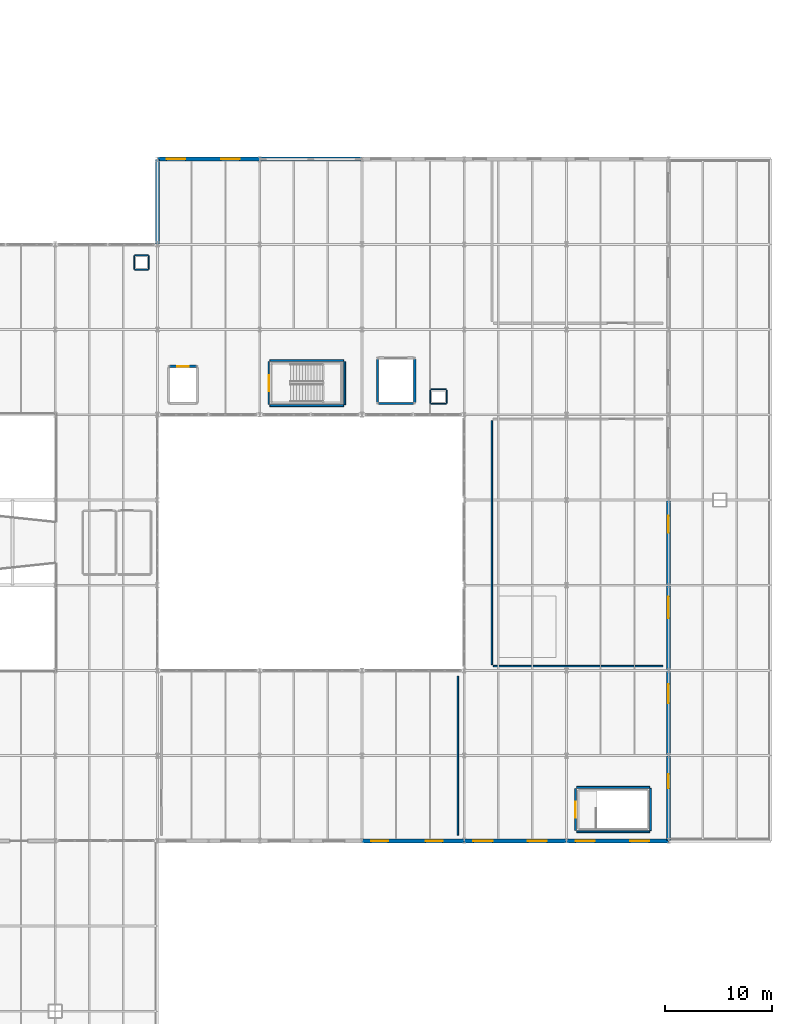
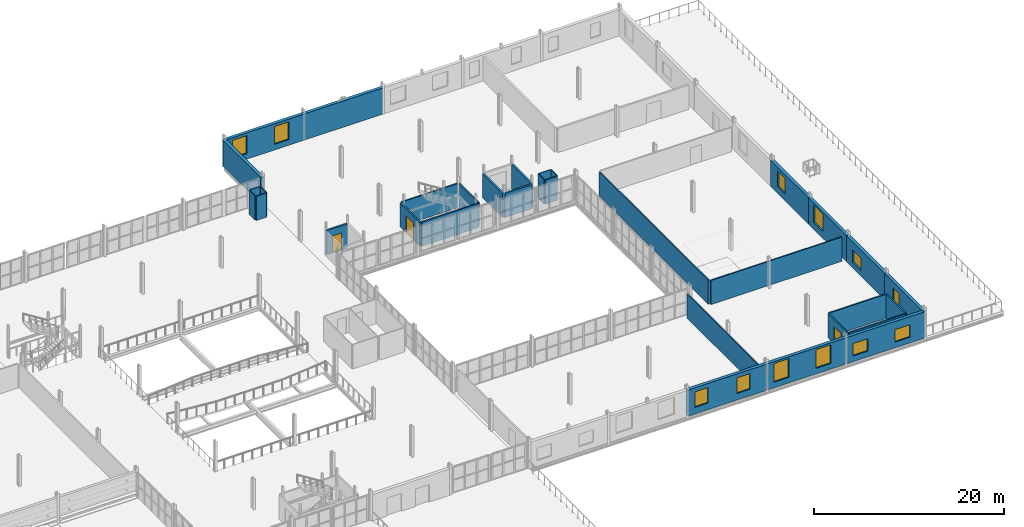
# One storey, part 75 of 85: 33 walls, 12 windows, 3 doors, 15 openings.
"""IFC4 building model written with IfcOpenShell, lengths in metres."""

from ifc_helpers import new_model, si_unit, direction, frame, frame_2d, origin, place, context, subcontext, project, spatial, rectangle, extrude, material, layer, layer_set, type_object, element, fill, save


model = new_model("IFC4")

# Units and contexts
model_context = context("Model", 3, precision=1e-05, world=origin(), true_north=direction((0.0, 1.0)))
body_context = subcontext(model_context, "Body", "Model", "MODEL_VIEW")
ifc_project = project(units=[si_unit("LENGTHUNIT", "METRE"), si_unit("AREAUNIT", "SQUARE_METRE"), si_unit("VOLUMEUNIT", "CUBIC_METRE"), si_unit("PLANEANGLEUNIT", "RADIAN"), si_unit("MASSUNIT", "GRAM", prefix="KILO")], contexts=[model_context])

# Site, building, storey
site_placement = place(None, origin())
site = spatial("IfcSite", under=ifc_project, at=site_placement, CompositionType="ELEMENT")
building_placement = place(site_placement, origin())
building = spatial("IfcBuilding", under=site, at=building_placement, Name="Alderhovde Museum", CompositionType="ELEMENT")
storey_placement = place(building_placement, frame((0.0, 0.0, 8.699951171875)))
storey = spatial("IfcBuildingStorey", under=building, at=storey_placement, Name="L02", CompositionType="ELEMENT", Elevation=8.699951171875)

# Wall, openings, windows
ifc_material_1 = material(Name="Fluted Jura Limestone Beaux-Arts Wall", Category="masonry")
ifc_layer_1 = layer(ifc_material_1, 0.3798828125)
ifc_layer_set_1 = layer_set([ifc_layer_1], Name="Fluted Jura Limestone Beaux-Arts Wall")
wall_type_1 = type_object("IfcWallType", Name="EW-LIME-380", PredefinedType="SOLIDWALL", material=ifc_layer_set_1)
wall_1_placement = place(storey_placement, frame((134.419921875, 32.0, 0.0), z_axis=(0.0, 0.0, 1.0), x_axis=(1.0, 0.0, 0.0)))
wall_1 = element("IfcWall", 1, at=wall_1_placement, inside=storey, type_object=wall_type_1, Name="L02 Conservation South Beaux-Arts Wall 217", PredefinedType="SOLIDWALL", context=body_context, shape_type="SweptSolid", body=[
    extrude(rectangle(XDim=9.56005859375, YDim=0.3798828125, at=frame_2d((4.780029296875, 0.0))), origin(), (0.0, 0.0, 1.0), 3.360107421875),
])
opening_1_placement = place(wall_1_placement, frame((0.85009765625, 0.0, 0.85009765625)))
opening_1 = element("IfcOpeningElement", 2, at=opening_1_placement, cuts=wall_1, Name="Opening W17", PredefinedType="OPENING", context=body_context, shape_type="SweptSolid", body=[
    extrude(rectangle(XDim=1.60009765625, YDim=2.0, at=frame_2d((0.800048828125, 1.0))), frame((0.0, 0.199951171875, 0.0), z_axis=(0.0, -1.0, 0.0), x_axis=(1.0, 0.0, 0.0)), (0.0, 0.0, 1.0), 0.39990234375),
])
opening_2_placement = place(wall_1_placement, frame((5.949951171875, 0.0, 0.85009765625)))
opening_2 = element("IfcOpeningElement", 3, at=opening_2_placement, cuts=wall_1, Name="Opening W17", PredefinedType="OPENING", context=body_context, shape_type="SweptSolid", body=[
    extrude(rectangle(XDim=1.60009765625, YDim=2.0, at=frame_2d((0.800048828125, 1.0))), frame((0.0, 0.199951171875, 0.0), z_axis=(0.0, -1.0, 0.0), x_axis=(1.0, 0.0, 0.0)), (0.0, 0.0, 1.0), 0.39990234375),
])
ifc_material_2 = material(Name="Triple-Glazed Low-E Bronze-Anodised Aluminium", Category="aluminium")
window_type_1 = type_object("IfcWindowType", Name="WIN-LAB-1600x2000", PartitioningType="DOUBLE_PANEL_VERTICAL", PredefinedType="WINDOW", material=ifc_material_2)
window_1_placement = place(opening_1_placement, origin())
window_1 = element("IfcWindow", 4, at=window_1_placement, inside=storey, type_object=window_type_1, Name="L02 Facade Window 199", OverallHeight=2.0, OverallWidth=1.60009765625, PartitioningType="SINGLE_PANEL", PredefinedType="WINDOW", context=body_context, shape_type="SweptSolid", body=[
    extrude(rectangle(XDim=1.60009765625, YDim=2.0, at=frame_2d((0.800048828125, 1.0))), frame((0.0, 0.030029296875, 0.0), z_axis=(0.0, -1.0, 0.0), x_axis=(1.0, 0.0, 0.0)), (0.0, 0.0, 1.0), 0.06005859375),
])
fill(opening_1, window_1)
window_2_placement = place(opening_2_placement, origin())
window_2 = element("IfcWindow", 5, at=window_2_placement, inside=storey, type_object=window_type_1, Name="L02 Facade Window 200", OverallHeight=2.0, OverallWidth=1.60009765625, PartitioningType="SINGLE_PANEL", PredefinedType="WINDOW", context=body_context, shape_type="SweptSolid", body=[
    extrude(rectangle(XDim=1.60009765625, YDim=2.0, at=frame_2d((0.800048828125, 1.0))), frame((0.0, 0.030029296875, 0.0), z_axis=(0.0, -1.0, 0.0), x_axis=(1.0, 0.0, 0.0)), (0.0, 0.0, 1.0), 0.06005859375),
])
fill(opening_2, window_2)

wall_2_placement = place(storey_placement, frame((144.02001953125, 32.0, 0.0), z_axis=(0.0, 0.0, 1.0), x_axis=(1.0, 0.0, 0.0)))
wall_2 = element("IfcWall", 6, at=wall_2_placement, inside=storey, type_object=wall_type_1, Name="L02 Conservation South Beaux-Arts Wall 218", PredefinedType="SOLIDWALL", context=body_context, shape_type="SweptSolid", body=[
    extrude(rectangle(XDim=9.56005859375, YDim=0.3798828125, at=frame_2d((4.780029296875, 0.0))), origin(), (0.0, 0.0, 1.0), 3.360107421875),
])
opening_3_placement = place(wall_2_placement, frame((0.85009765625, 0.0, 0.719970703125)))
opening_3 = element("IfcOpeningElement", 7, at=opening_3_placement, cuts=wall_2, Name="Opening W05", PredefinedType="OPENING", context=body_context, shape_type="SweptSolid", body=[
    extrude(rectangle(XDim=1.800048828125, YDim=2.39990234375, at=frame_2d((0.89990234375, 1.199951171875))), frame((0.0, 0.199951171875, 0.0), z_axis=(0.0, -1.0, 0.0), x_axis=(1.0, 0.0, 0.0)), (0.0, 0.0, 1.0), 0.39990234375),
])
opening_4_placement = place(wall_2_placement, frame((5.949951171875, 0.0, 0.719970703125)))
opening_4 = element("IfcOpeningElement", 8, at=opening_4_placement, cuts=wall_2, Name="Opening W05", PredefinedType="OPENING", context=body_context, shape_type="SweptSolid", body=[
    extrude(rectangle(XDim=1.800048828125, YDim=2.39990234375, at=frame_2d((0.89990234375, 1.199951171875))), frame((0.0, 0.199951171875, 0.0), z_axis=(0.0, -1.0, 0.0), x_axis=(1.0, 0.0, 0.0)), (0.0, 0.0, 1.0), 0.39990234375),
])
ifc_material_3 = material(Name="Triple-Glazed Low-E Bronze-Anodised Aluminium", Category="aluminium")
window_type_2 = type_object("IfcWindowType", Name="WIN-BA-1800x2400", PartitioningType="DOUBLE_PANEL_VERTICAL", PredefinedType="WINDOW", material=ifc_material_3)
window_3_placement = place(opening_3_placement, origin())
window_3 = element("IfcWindow", 9, at=window_3_placement, inside=storey, type_object=window_type_2, Name="L02 Facade Window 201", OverallHeight=2.39990234375, OverallWidth=1.800048828125, PartitioningType="SINGLE_PANEL", PredefinedType="WINDOW", context=body_context, shape_type="SweptSolid", body=[
    extrude(rectangle(XDim=1.800048828125, YDim=2.39990234375, at=frame_2d((0.89990234375, 1.199951171875))), frame((0.0, 0.030029296875, 0.0), z_axis=(0.0, -1.0, 0.0), x_axis=(1.0, 0.0, 0.0)), (0.0, 0.0, 1.0), 0.06005859375),
])
fill(opening_3, window_3)
window_4_placement = place(opening_4_placement, origin())
window_4 = element("IfcWindow", 10, at=window_4_placement, inside=storey, type_object=window_type_2, Name="L02 Facade Window 202", OverallHeight=2.39990234375, OverallWidth=1.800048828125, PartitioningType="SINGLE_PANEL", PredefinedType="WINDOW", context=body_context, shape_type="SweptSolid", body=[
    extrude(rectangle(XDim=1.800048828125, YDim=2.39990234375, at=frame_2d((0.89990234375, 1.199951171875))), frame((0.0, 0.030029296875, 0.0), z_axis=(0.0, -1.0, 0.0), x_axis=(1.0, 0.0, 0.0)), (0.0, 0.0, 1.0), 0.06005859375),
])
fill(opening_4, window_4)

wall_3_placement = place(storey_placement, frame((153.6201171875, 32.0, 0.0), z_axis=(0.0, 0.0, 1.0), x_axis=(1.0, 0.0, 0.0)))
wall_3 = element("IfcWall", 11, at=wall_3_placement, inside=storey, type_object=wall_type_1, Name="L02 Conservation South Beaux-Arts Wall 219", PredefinedType="SOLIDWALL", context=body_context, shape_type="SweptSolid", body=[
    extrude(rectangle(XDim=9.559814453125, YDim=0.3798828125, at=frame_2d((4.77978515625, 0.0))), origin(), (0.0, 0.0, 1.0), 3.360107421875),
])
opening_5_placement = place(wall_3_placement, frame((0.85009765625, 0.0, 0.719970703125)))
opening_5 = element("IfcOpeningElement", 12, at=opening_5_placement, cuts=wall_3, Name="Opening W13", PredefinedType="OPENING", context=body_context, shape_type="SweptSolid", body=[
    extrude(rectangle(XDim=1.800048828125, YDim=1.60009765625, at=frame_2d((0.89990234375, 0.800048828125))), frame((0.0, 0.199951171875, 0.0), z_axis=(0.0, -1.0, 0.0), x_axis=(1.0, 0.0, 0.0)), (0.0, 0.0, 1.0), 0.39990234375),
])
opening_6_placement = place(wall_3_placement, frame((5.949951171875, 0.0, 0.719970703125)))
opening_6 = element("IfcOpeningElement", 13, at=opening_6_placement, cuts=wall_3, Name="Opening W13", PredefinedType="OPENING", context=body_context, shape_type="SweptSolid", body=[
    extrude(rectangle(XDim=1.800048828125, YDim=1.60009765625, at=frame_2d((0.89990234375, 0.800048828125))), frame((0.0, 0.199951171875, 0.0), z_axis=(0.0, -1.0, 0.0), x_axis=(1.0, 0.0, 0.0)), (0.0, 0.0, 1.0), 0.39990234375),
])
ifc_material_4 = material(Name="Triple-Glazed Low-E Bronze-Anodised Aluminium", Category="aluminium")
window_type_3 = type_object("IfcWindowType", Name="WIN-ATT-1800x1600", PartitioningType="DOUBLE_PANEL_VERTICAL", PredefinedType="WINDOW", material=ifc_material_4)
window_5_placement = place(opening_5_placement, origin())
window_5 = element("IfcWindow", 14, at=window_5_placement, inside=storey, type_object=window_type_3, Name="L02 Facade Window 203", OverallHeight=1.60009765625, OverallWidth=1.800048828125, PartitioningType="SINGLE_PANEL", PredefinedType="WINDOW", context=body_context, shape_type="SweptSolid", body=[
    extrude(rectangle(XDim=1.800048828125, YDim=1.60009765625, at=frame_2d((0.89990234375, 0.800048828125))), frame((0.0, 0.030029296875, 0.0), z_axis=(0.0, -1.0, 0.0), x_axis=(1.0, 0.0, 0.0)), (0.0, 0.0, 1.0), 0.06005859375),
])
fill(opening_5, window_5)
window_6_placement = place(opening_6_placement, origin())
window_6 = element("IfcWindow", 15, at=window_6_placement, inside=storey, type_object=window_type_3, Name="L02 Facade Window 204", OverallHeight=1.60009765625, OverallWidth=1.800048828125, PartitioningType="SINGLE_PANEL", PredefinedType="WINDOW", context=body_context, shape_type="SweptSolid", body=[
    extrude(rectangle(XDim=1.800048828125, YDim=1.60009765625, at=frame_2d((0.89990234375, 0.800048828125))), frame((0.0, 0.030029296875, 0.0), z_axis=(0.0, -1.0, 0.0), x_axis=(1.0, 0.0, 0.0)), (0.0, 0.0, 1.0), 0.06005859375),
])
fill(opening_6, window_6)

wall_4_placement = place(storey_placement, frame((115.219970703125, 96.0, 0.0), z_axis=(0.0, 0.0, 1.0), x_axis=(1.0, 0.0, 0.0)))
wall_4 = element("IfcWall", 16, at=wall_4_placement, inside=storey, type_object=wall_type_1, Name="L02 Conservation North Beaux-Arts Wall 220", PredefinedType="SOLIDWALL", context=body_context, shape_type="SweptSolid", body=[
    extrude(rectangle(XDim=9.56005859375, YDim=0.3798828125, at=frame_2d((4.780029296875, 0.0))), origin(), (0.0, 0.0, 1.0), 3.360107421875),
])
opening_7_placement = place(wall_4_placement, frame((0.85009765625, 0.0, 0.719970703125)))
opening_7 = element("IfcOpeningElement", 17, at=opening_7_placement, cuts=wall_4, Name="Opening W26", PredefinedType="OPENING", context=body_context, shape_type="SweptSolid", body=[
    extrude(rectangle(XDim=1.75, YDim=2.300048828125, at=frame_2d((0.875, 1.14990234375))), frame((0.0, 0.199951171875, 0.0), z_axis=(0.0, -1.0, 0.0), x_axis=(1.0, 0.0, 0.0)), (0.0, 0.0, 1.0), 0.39990234375),
])
opening_8_placement = place(wall_4_placement, frame((5.949951171875, 0.0, 0.719970703125)))
opening_8 = element("IfcOpeningElement", 18, at=opening_8_placement, cuts=wall_4, Name="Opening W26", PredefinedType="OPENING", context=body_context, shape_type="SweptSolid", body=[
    extrude(rectangle(XDim=1.75, YDim=2.300048828125, at=frame_2d((0.875, 1.14990234375))), frame((0.0, 0.199951171875, 0.0), z_axis=(0.0, -1.0, 0.0), x_axis=(1.0, 0.0, 0.0)), (0.0, 0.0, 1.0), 0.39990234375),
])
ifc_material_5 = material(Name="Triple-Glazed Low-E Bronze-Anodised Aluminium", Category="aluminium")
window_type_4 = type_object("IfcWindowType", Name="WIN-BA-1750x2300", PartitioningType="DOUBLE_PANEL_VERTICAL", PredefinedType="WINDOW", material=ifc_material_5)
window_7_placement = place(opening_7_placement, origin())
window_7 = element("IfcWindow", 19, at=window_7_placement, inside=storey, type_object=window_type_4, Name="L02 Facade Window 205", OverallHeight=2.300048828125, OverallWidth=1.75, PartitioningType="SINGLE_PANEL", PredefinedType="WINDOW", context=body_context, shape_type="SweptSolid", body=[
    extrude(rectangle(XDim=1.75, YDim=2.300048828125, at=frame_2d((0.875, 1.14990234375))), frame((0.0, 0.030029296875, 0.0), z_axis=(0.0, -1.0, 0.0), x_axis=(1.0, 0.0, 0.0)), (0.0, 0.0, 1.0), 0.06005859375),
])
fill(opening_7, window_7)
window_8_placement = place(opening_8_placement, origin())
window_8 = element("IfcWindow", 20, at=window_8_placement, inside=storey, type_object=window_type_4, Name="L02 Facade Window 206", OverallHeight=2.300048828125, OverallWidth=1.75, PartitioningType="SINGLE_PANEL", PredefinedType="WINDOW", context=body_context, shape_type="SweptSolid", body=[
    extrude(rectangle(XDim=1.75, YDim=2.300048828125, at=frame_2d((0.875, 1.14990234375))), frame((0.0, 0.030029296875, 0.0), z_axis=(0.0, -1.0, 0.0), x_axis=(1.0, 0.0, 0.0)), (0.0, 0.0, 1.0), 0.06005859375),
])
fill(opening_8, window_8)

# Wall
wall_5_placement = place(storey_placement, frame((124.820068359375, 96.0, 0.0), z_axis=(0.0, 0.0, 1.0), x_axis=(1.0, 0.0, 0.0)))
element("IfcWall", 21, at=wall_5_placement, inside=storey, type_object=wall_type_1, Name="L02 Conservation North Beaux-Arts Wall 221", PredefinedType="SOLIDWALL", context=body_context, shape_type="SweptSolid", body=[
    extrude(rectangle(XDim=9.559814453125, YDim=0.3798828125, at=frame_2d((4.77978515625, 0.0))), origin(), (0.0, 0.0, 1.0), 3.360107421875),
])

# Wall, opening, window
wall_6_placement = place(storey_placement, frame((163.199951171875, 32.02001953125, 0.0), z_axis=(0.0, 0.0, 1.0), x_axis=(0.0, 1.0, 0.0)))
wall_6 = element("IfcWall", 22, at=wall_6_placement, inside=storey, type_object=wall_type_1, Name="L02 Conservation East Hillside Wall 225", PredefinedType="SOLIDWALL", context=body_context, shape_type="SweptSolid", body=[
    extrude(rectangle(XDim=7.9599609375, YDim=0.3798828125, at=frame_2d((3.97998046875, 0.0))), origin(), (0.0, 0.0, 1.0), 3.360107421875),
])
opening_9_placement = place(wall_6_placement, frame((4.89990234375, 0.0, 0.89990234375)))
opening_9 = element("IfcOpeningElement", 23, at=opening_9_placement, cuts=wall_6, Name="Opening W28", PredefinedType="OPENING", context=body_context, shape_type="SweptSolid", body=[
    extrude(rectangle(XDim=1.35009765625, YDim=1.699951171875, at=frame_2d((0.675048828125, 0.85009765625))), frame((0.0, 0.199951171875, 0.0), z_axis=(0.0, -1.0, 0.0), x_axis=(1.0, 0.0, 0.0)), (0.0, 0.0, 1.0), 0.39990234375),
])
ifc_material_6 = material(Name="Triple-Glazed Low-E Bronze-Anodised Aluminium", Category="aluminium")
window_type_5 = type_object("IfcWindowType", Name="WIN-LAB-1350x1700", PartitioningType="SINGLE_PANEL", PredefinedType="WINDOW", material=ifc_material_6)
window_9_placement = place(opening_9_placement, origin())
window_9 = element("IfcWindow", 24, at=window_9_placement, inside=storey, type_object=window_type_5, Name="L02 Facade Window 213", OverallHeight=1.699951171875, OverallWidth=1.35009765625, PartitioningType="SINGLE_PANEL", PredefinedType="WINDOW", context=body_context, shape_type="SweptSolid", body=[
    extrude(rectangle(XDim=1.35009765625, YDim=1.699951171875, at=frame_2d((0.675048828125, 0.85009765625))), frame((0.0, 0.030029296875, 0.0), z_axis=(0.0, -1.0, 0.0), x_axis=(1.0, 0.0, 0.0)), (0.0, 0.0, 1.0), 0.06005859375),
])
fill(opening_9, window_9)

wall_7_placement = place(storey_placement, frame((163.199951171875, 40.02001953125, 0.0), z_axis=(0.0, 0.0, 1.0), x_axis=(0.0, 1.0, 0.0)))
wall_7 = element("IfcWall", 25, at=wall_7_placement, inside=storey, type_object=wall_type_1, Name="L02 Conservation East Hillside Wall 226", PredefinedType="SOLIDWALL", context=body_context, shape_type="SweptSolid", body=[
    extrude(rectangle(XDim=7.9599609375, YDim=0.3798828125, at=frame_2d((3.97998046875, 0.0))), origin(), (0.0, 0.0, 1.0), 3.360107421875),
])
opening_10_placement = place(wall_7_placement, frame((4.89990234375, 0.0, 0.719970703125)))
opening_10 = element("IfcOpeningElement", 26, at=opening_10_placement, cuts=wall_7, Name="Opening W13", PredefinedType="OPENING", context=body_context, shape_type="SweptSolid", body=[
    extrude(rectangle(XDim=1.800048828125, YDim=1.60009765625, at=frame_2d((0.89990234375, 0.800048828125))), frame((0.0, 0.199951171875, 0.0), z_axis=(0.0, -1.0, 0.0), x_axis=(1.0, 0.0, 0.0)), (0.0, 0.0, 1.0), 0.39990234375),
])
window_10_placement = place(opening_10_placement, origin())
window_10 = element("IfcWindow", 27, at=window_10_placement, inside=storey, type_object=window_type_3, Name="L02 Facade Window 214", OverallHeight=1.60009765625, OverallWidth=1.800048828125, PartitioningType="SINGLE_PANEL", PredefinedType="WINDOW", context=body_context, shape_type="SweptSolid", body=[
    extrude(rectangle(XDim=1.800048828125, YDim=1.60009765625, at=frame_2d((0.89990234375, 0.800048828125))), frame((0.0, 0.030029296875, 0.0), z_axis=(0.0, -1.0, 0.0), x_axis=(1.0, 0.0, 0.0)), (0.0, 0.0, 1.0), 0.06005859375),
])
fill(opening_10, window_10)

wall_8_placement = place(storey_placement, frame((163.199951171875, 48.02001953125, 0.0), z_axis=(0.0, 0.0, 1.0), x_axis=(0.0, 1.0, 0.0)))
wall_8 = element("IfcWall", 28, at=wall_8_placement, inside=storey, type_object=wall_type_1, Name="L02 Conservation East Hillside Wall 227", PredefinedType="SOLIDWALL", context=body_context, shape_type="SweptSolid", body=[
    extrude(rectangle(XDim=7.9599609375, YDim=0.3798828125, at=frame_2d((3.97998046875, 0.0))), origin(), (0.0, 0.0, 1.0), 3.360107421875),
])
opening_11_placement = place(wall_8_placement, frame((4.89990234375, 0.0, 0.89990234375)))
opening_11 = element("IfcOpeningElement", 29, at=opening_11_placement, cuts=wall_8, Name="Opening W16", PredefinedType="OPENING", context=body_context, shape_type="SweptSolid", body=[
    extrude(rectangle(XDim=2.0, YDim=2.199951171875, at=frame_2d((1.0, 1.10009765625))), frame((0.0, 0.199951171875, 0.0), z_axis=(0.0, -1.0, 0.0), x_axis=(1.0, 0.0, 0.0)), (0.0, 0.0, 1.0), 0.39990234375),
])
ifc_material_7 = material(Name="Triple-Glazed Low-E Bronze-Anodised Aluminium", Category="aluminium")
window_type_6 = type_object("IfcWindowType", Name="WIN-LAB-2000x2200", PartitioningType="DOUBLE_PANEL_VERTICAL", PredefinedType="WINDOW", material=ifc_material_7)
window_11_placement = place(opening_11_placement, origin())
window_11 = element("IfcWindow", 30, at=window_11_placement, inside=storey, type_object=window_type_6, Name="L02 Facade Window 215", OverallHeight=2.199951171875, OverallWidth=2.0, PartitioningType="SINGLE_PANEL", PredefinedType="WINDOW", context=body_context, shape_type="SweptSolid", body=[
    extrude(rectangle(XDim=2.0, YDim=2.199951171875, at=frame_2d((1.0, 1.10009765625))), frame((0.0, 0.030029296875, 0.0), z_axis=(0.0, -1.0, 0.0), x_axis=(1.0, 0.0, 0.0)), (0.0, 0.0, 1.0), 0.06005859375),
])
fill(opening_11, window_11)

wall_9_placement = place(storey_placement, frame((163.199951171875, 56.02001953125, 0.0), z_axis=(0.0, 0.0, 1.0), x_axis=(0.0, 1.0, 0.0)))
wall_9 = element("IfcWall", 31, at=wall_9_placement, inside=storey, type_object=wall_type_1, Name="L02 Conservation East Hillside Wall 228", PredefinedType="SOLIDWALL", context=body_context, shape_type="SweptSolid", body=[
    extrude(rectangle(XDim=7.9599609375, YDim=0.3798828125, at=frame_2d((3.97998046875, 0.0))), origin(), (0.0, 0.0, 1.0), 3.360107421875),
])
opening_12_placement = place(wall_9_placement, frame((4.89990234375, 0.0, 0.89990234375)))
opening_12 = element("IfcOpeningElement", 32, at=opening_12_placement, cuts=wall_9, Name="Opening W17", PredefinedType="OPENING", context=body_context, shape_type="SweptSolid", body=[
    extrude(rectangle(XDim=1.60009765625, YDim=2.0, at=frame_2d((0.800048828125, 1.0))), frame((0.0, 0.199951171875, 0.0), z_axis=(0.0, -1.0, 0.0), x_axis=(1.0, 0.0, 0.0)), (0.0, 0.0, 1.0), 0.39990234375),
])
window_12_placement = place(opening_12_placement, origin())
window_12 = element("IfcWindow", 33, at=window_12_placement, inside=storey, type_object=window_type_1, Name="L02 Facade Window 216", OverallHeight=2.0, OverallWidth=1.60009765625, PartitioningType="SINGLE_PANEL", PredefinedType="WINDOW", context=body_context, shape_type="SweptSolid", body=[
    extrude(rectangle(XDim=1.60009765625, YDim=2.0, at=frame_2d((0.800048828125, 1.0))), frame((0.0, 0.030029296875, 0.0), z_axis=(0.0, -1.0, 0.0), x_axis=(1.0, 0.0, 0.0)), (0.0, 0.0, 1.0), 0.06005859375),
])
fill(opening_12, window_12)

# Walls
wall_10_placement = place(storey_placement, frame((115.199951171875, 88.02001953125, 0.0), z_axis=(0.0, 0.0, 1.0), x_axis=(0.0, 1.0, 0.0)))
element("IfcWall", 34, at=wall_10_placement, inside=storey, type_object=wall_type_1, Name="L02 Conservation West Return Wall 233", PredefinedType="SOLIDWALL", context=body_context, shape_type="SweptSolid", body=[
    extrude(rectangle(XDim=7.9599609375, YDim=0.3798828125, at=frame_2d((3.97998046875, 0.0))), origin(), (0.0, 0.0, 1.0), 3.360107421875),
])
ifc_material_8 = material(Name="Hygienic Conservation Laboratory Partition")
ifc_layer_2 = layer(ifc_material_8, 0.139892578125)
ifc_layer_set_2 = layer_set([ifc_layer_2], Name="Hygienic Conservation Laboratory Partition")
wall_type_2 = type_object("IfcWallType", Name="IW-LAB-140", PredefinedType="PARTITIONING", material=ifc_layer_set_2)
wall_11_placement = place(storey_placement, frame((143.39990234375, 32.5400390625, 0.0), z_axis=(0.0, 0.0, 1.0), x_axis=(0.0, 1.0, 0.0)))
element("IfcWall", 35, at=wall_11_placement, inside=storey, type_object=wall_type_2, Name="L02 Analytical X-Ray Imaging Suite Partition Wall E", PredefinedType="PARTITIONING", context=body_context, shape_type="SweptSolid", body=[
    extrude(rectangle(XDim=14.919921875, YDim=0.139892578125, at=frame_2d((7.4599609375, 0.0))), origin(), (0.0, 0.0, 1.0), 3.10009765625),
])
wall_12_placement = place(storey_placement, frame((146.739990234375, 48.39990234375, 0.0), z_axis=(0.0, 0.0, 1.0), x_axis=(1.0, 0.0, 0.0)))
element("IfcWall", 36, at=wall_12_placement, inside=storey, type_object=wall_type_2, Name="L02 Textile and Paper Conservation Studio Partition Wall S", PredefinedType="PARTITIONING", context=body_context, shape_type="SweptSolid", body=[
    extrude(rectangle(XDim=15.919921875, YDim=0.139892578125, at=frame_2d((7.9599609375, 0.0))), origin(), (0.0, 0.0, 1.0), 3.10009765625),
])
wall_13_placement = place(storey_placement, frame((146.60009765625, 48.5400390625, 0.0), z_axis=(0.0, 0.0, 1.0), x_axis=(0.0, 1.0, 0.0)))
element("IfcWall", 37, at=wall_13_placement, inside=storey, type_object=wall_type_2, Name="L02 Textile and Paper Conservation Studio Partition Wall W", PredefinedType="PARTITIONING", context=body_context, shape_type="SweptSolid", body=[
    extrude(rectangle(XDim=22.919921875, YDim=0.139892578125, at=frame_2d((11.4599609375, 0.0))), origin(), (0.0, 0.0, 1.0), 3.10009765625),
])
ifc_material_9 = material(Name="Acoustic Service Riser Lining Wall")
ifc_layer_3 = layer(ifc_material_9, 0.10009765625)
ifc_layer_set_3 = layer_set([ifc_layer_3], Name="Acoustic Service Riser Lining Wall")
wall_type_3 = type_object("IfcWallType", Name="IW-LIN-100", PredefinedType="PARTITIONING", material=ifc_layer_set_3)
for number, where, z_axis, x_axis, name in (
    (38, (113.080078125, 86.97998046875, 0.0), (0.0, 0.0, 1.0), (1.0, 0.0, 0.0), "L02 Service Riser RSR-V2 Shaft Wall N"),
    (39, (113.080078125, 85.6201171875, 0.0), (0.0, 0.0, 1.0), (1.0, 0.0, 0.0), "L02 Service Riser RSR-V2 Shaft Wall S"),
    (40, (113.02001953125, 85.679931640625, 0.0), (0.0, 0.0, 1.0), (0.0, 1.0, 0.0), "L02 Service Riser RSR-V2 Shaft Wall W"),
    (41, (114.3798828125, 85.679931640625, 0.0), (0.0, 0.0, 1.0), (0.0, 1.0, 0.0), "L02 Service Riser RSR-V2 Shaft Wall E"),
):
    element("IfcWall", number, at=place(storey_placement, frame(where, z_axis=z_axis, x_axis=x_axis)), inside=storey, type_object=wall_type_3, Name=name, PredefinedType="PARTITIONING", context=body_context, shape_type="SweptSolid", body=[
        extrude(rectangle(XDim=1.239990234375, YDim=0.10009765625, at=frame_2d((0.6201171875, 0.0))), origin(), (0.0, 0.0, 1.0), 3.10009765625),
    ])
for number, where, z_axis, x_axis, name in (
    (42, (140.8798828125, 74.3798828125, 0.0), (0.0, 0.0, 1.0), (1.0, 0.0, 0.0), "L02 Service Riser RSR-V5 Shaft Wall N"),
    (43, (140.8798828125, 73.02001953125, 0.0), (0.0, 0.0, 1.0), (1.0, 0.0, 0.0), "L02 Service Riser RSR-V5 Shaft Wall S"),
):
    element("IfcWall", number, at=place(storey_placement, frame(where, z_axis=z_axis, x_axis=x_axis)), inside=storey, type_object=wall_type_3, Name=name, PredefinedType="PARTITIONING", context=body_context, shape_type="SweptSolid", body=[
        extrude(rectangle(XDim=1.440185546875, YDim=0.10009765625, at=frame_2d((0.72021484375, 0.0))), origin(), (0.0, 0.0, 1.0), 3.10009765625),
    ])
for number, where, z_axis, x_axis, name in (
    (44, (140.820068359375, 73.080078125, 0.0), (0.0, 0.0, 1.0), (0.0, 1.0, 0.0), "L02 Service Riser RSR-V5 Shaft Wall W"),
    (45, (142.3798828125, 73.080078125, 0.0), (0.0, 0.0, 1.0), (0.0, 1.0, 0.0), "L02 Service Riser RSR-V5 Shaft Wall E"),
):
    element("IfcWall", number, at=place(storey_placement, frame(where, z_axis=z_axis, x_axis=x_axis)), inside=storey, type_object=wall_type_3, Name=name, PredefinedType="PARTITIONING", context=body_context, shape_type="SweptSolid", body=[
        extrude(rectangle(XDim=1.239990234375, YDim=0.10009765625, at=frame_2d((0.6201171875, 0.0))), origin(), (0.0, 0.0, 1.0), 3.10009765625),
    ])

# Wall, opening, door
ifc_material_10 = material(Name="Concrete C40/50 and Fireboard Shaft Wall", Category="concrete")
ifc_layer_4 = layer(ifc_material_10, 0.22998046875)
ifc_layer_set_4 = layer_set([ifc_layer_4], Name="Concrete C40/50 and Fireboard Shaft Wall")
wall_type_4 = type_object("IfcWallType", Name="IW-SHAFT-230", PredefinedType="SOLIDWALL", material=ifc_layer_set_4)
wall_14_placement = place(storey_placement, frame((116.340087890625, 76.5400390625, 0.0), z_axis=(0.0, 0.0, 1.0), x_axis=(1.0, 0.0, 0.0)))
wall_14 = element("IfcWall", 46, at=wall_14_placement, inside=storey, type_object=wall_type_4, Name="L02 Passenger Lift PL-03 Shaft Wall North", PredefinedType="SOLIDWALL", context=body_context, shape_type="SweptSolid", body=[
    extrude(rectangle(XDim=2.52001953125, YDim=0.22998046875, at=frame_2d((1.260009765625, 0.0))), origin(), (0.0, 0.0, 1.0), 3.10009765625),
])
opening_13_placement = place(wall_14_placement, frame((0.7099609375, 0.0, 0.0)))
opening_13 = element("IfcOpeningElement", 47, at=opening_13_placement, cuts=wall_14, Name="Opening LD-1", PredefinedType="OPENING", context=body_context, shape_type="SweptSolid", body=[
    extrude(rectangle(XDim=1.10009765625, YDim=2.199951171875, at=frame_2d((0.550048828125, 1.10009765625))), frame((0.0, 0.125, 0.0), z_axis=(0.0, -1.0, 0.0), x_axis=(1.0, 0.0, 0.0)), (0.0, 0.0, 1.0), 0.25),
])
ifc_material_11 = material(Name="Passenger Lift Sliding Landing Door (Steel/Oak)", Category="steel")
door_type_1 = type_object("IfcDoorType", Name="LD-PASS-1100x2200", OperationType="SLIDING_TO_LEFT", PredefinedType="DOOR", material=ifc_material_11)
door_1_placement = place(opening_13_placement, origin())
door_1 = element("IfcDoor", 48, at=door_1_placement, inside=storey, type_object=door_type_1, Name="L02 Passenger Lift PL-03 Landing Door", OperationType="SLIDING_TO_LEFT", OverallHeight=2.199951171875, OverallWidth=1.10009765625, PredefinedType="DOOR", context=body_context, shape_type="SweptSolid", body=[
    extrude(rectangle(XDim=1.10009765625, YDim=2.199951171875, at=frame_2d((0.550048828125, 1.10009765625))), frame((0.0, 0.02490234375, 0.0), z_axis=(0.0, -1.0, 0.0), x_axis=(1.0, 0.0, 0.0)), (0.0, 0.0, 1.0), 0.050048828125),
])
fill(opening_13, door_1)

# Walls
wall_15_placement = place(storey_placement, frame((135.93994140625, 73.06005859375, 0.0), z_axis=(0.0, 0.0, 1.0), x_axis=(1.0, 0.0, 0.0)))
element("IfcWall", 49, at=wall_15_placement, inside=storey, type_object=wall_type_4, Name="L02 Goods Lift Shaft Wall South", PredefinedType="SOLIDWALL", context=body_context, shape_type="SweptSolid", body=[
    extrude(rectangle(XDim=3.320068359375, YDim=0.22998046875, at=frame_2d((1.66015625, 0.0))), origin(), (0.0, 0.0, 1.0), 3.10009765625),
])
for number, where, z_axis, x_axis, name in (
    (50, (135.860107421875, 73.139892578125, 0.0), (0.0, 0.0, 1.0), (0.0, 1.0, 0.0), "L02 Goods Lift Shaft Wall West"),
    (51, (139.340087890625, 73.139892578125, 0.0), (0.0, 0.0, 1.0), (0.0, 1.0, 0.0), "L02 Goods Lift Shaft Wall East"),
):
    element("IfcWall", number, at=place(storey_placement, frame(where, z_axis=z_axis, x_axis=x_axis)), inside=storey, type_object=wall_type_4, Name=name, PredefinedType="SOLIDWALL", context=body_context, shape_type="SweptSolid", body=[
        extrude(rectangle(XDim=4.1201171875, YDim=0.22998046875, at=frame_2d((2.06005859375, 0.0))), origin(), (0.0, 0.0, 1.0), 3.10009765625),
    ])

# Wall, opening, door
ifc_material_12 = material(Name="Fire-Resisting Stair Lobby Wall")
ifc_layer_5 = layer(ifc_material_12, 0.169921875)
ifc_layer_set_5 = layer_set([ifc_layer_5], Name="Fire-Resisting Stair Lobby Wall")
wall_type_5 = type_object("IfcWallType", Name="IW-STAIR-170", PredefinedType="SOLIDWALL", material=ifc_layer_set_5)
wall_16_placement = place(storey_placement, frame((125.659912109375, 72.9599609375, 0.0), z_axis=(0.0, 0.0, 1.0), x_axis=(0.0, 1.0, 0.0)))
wall_16 = element("IfcWall", 52, at=wall_16_placement, inside=storey, type_object=wall_type_5, Name="L02 Escape Stair ST4 Fire Wall W", PredefinedType="SOLIDWALL", context=body_context, shape_type="SweptSolid", body=[
    extrude(rectangle(XDim=4.0400390625, YDim=0.169921875, at=frame_2d((2.02001953125, 0.0))), origin(), (0.0, 0.0, 1.0), 3.10009765625),
])
opening_14_placement = place(wall_16_placement, frame((1.27001953125, 0.0, 0.0)))
opening_14 = element("IfcOpeningElement", 53, at=opening_14_placement, cuts=wall_16, Name="Opening FD-1", PredefinedType="OPENING", context=body_context, shape_type="SweptSolid", body=[
    extrude(rectangle(XDim=1.5, YDim=2.199951171875, at=frame_2d((0.75, 1.10009765625))), frame((0.0, 0.094970703125, 0.0), z_axis=(0.0, -1.0, 0.0), x_axis=(1.0, 0.0, 0.0)), (0.0, 0.0, 1.0), 0.18994140625),
])
ifc_material_13 = material(Name="Fire-Rated Steel Stair Escape Door (Steel/Oak)", Category="steel")
door_type_2 = type_object("IfcDoorType", Name="FD-STAIR-1500x2200", OperationType="NOTDEFINED", PredefinedType="DOOR", material=ifc_material_13)
door_2_placement = place(opening_14_placement, origin())
door_2 = element("IfcDoor", 54, at=door_2_placement, inside=storey, type_object=door_type_2, Name="L02 Escape Stair ST4 Fire Door", OperationType="SINGLE_SWING_LEFT", OverallHeight=2.199951171875, OverallWidth=1.5, PredefinedType="DOOR", context=body_context, shape_type="SweptSolid", body=[
    extrude(rectangle(XDim=1.5, YDim=2.199951171875, at=frame_2d((0.75, 1.10009765625))), frame((0.0, 0.02490234375, 0.0), z_axis=(0.0, -1.0, 0.0), x_axis=(1.0, 0.0, 0.0)), (0.0, 0.0, 1.0), 0.050048828125),
])
fill(opening_14, door_2)

# Walls
wall_17_placement = place(storey_placement, frame((132.780029296875, 72.9599609375, 0.0), z_axis=(0.0, 0.0, 1.0), x_axis=(0.0, 1.0, 0.0)))
element("IfcWall", 55, at=wall_17_placement, inside=storey, type_object=wall_type_5, Name="L02 Escape Stair ST4 Fire Wall E", PredefinedType="SOLIDWALL", context=body_context, shape_type="SweptSolid", body=[
    extrude(rectangle(XDim=4.0400390625, YDim=0.169921875, at=frame_2d((2.02001953125, 0.0))), origin(), (0.0, 0.0, 1.0), 3.10009765625),
])
for number, where, z_axis, x_axis, name in (
    (56, (125.760009765625, 72.860107421875, 0.0), (0.0, 0.0, 1.0), (1.0, 0.0, 0.0), "L02 Escape Stair ST4 Fire Wall S"),
    (57, (125.760009765625, 77.10009765625, 0.0), (0.0, 0.0, 1.0), (1.0, 0.0, 0.0), "L02 Escape Stair ST4 Fire Wall N"),
):
    element("IfcWall", number, at=place(storey_placement, frame(where, z_axis=z_axis, x_axis=x_axis)), inside=storey, type_object=wall_type_5, Name=name, PredefinedType="SOLIDWALL", context=body_context, shape_type="SweptSolid", body=[
        extrude(rectangle(XDim=6.919921875, YDim=0.169921875, at=frame_2d((3.4599609375, 0.0))), origin(), (0.0, 0.0, 1.0), 3.10009765625),
    ])

# Wall, opening, door
wall_18_placement = place(storey_placement, frame((154.4599609375, 32.9599609375, 0.0), z_axis=(0.0, 0.0, 1.0), x_axis=(0.0, 1.0, 0.0)))
wall_18 = element("IfcWall", 58, at=wall_18_placement, inside=storey, type_object=wall_type_5, Name="L02 Escape Stair ST7 Fire Wall W", PredefinedType="SOLIDWALL", context=body_context, shape_type="SweptSolid", body=[
    extrude(rectangle(XDim=3.9599609375, YDim=0.169921875, at=frame_2d((1.97998046875, 0.0))), origin(), (0.0, 0.0, 1.0), 3.10009765625),
])
opening_15_placement = place(wall_18_placement, frame((1.22998046875, 0.0, 0.0)))
opening_15 = element("IfcOpeningElement", 59, at=opening_15_placement, cuts=wall_18, Name="Opening FD-1", PredefinedType="OPENING", context=body_context, shape_type="SweptSolid", body=[
    extrude(rectangle(XDim=1.5, YDim=2.199951171875, at=frame_2d((0.75, 1.10009765625))), frame((0.0, 0.094970703125, 0.0), z_axis=(0.0, -1.0, 0.0), x_axis=(1.0, 0.0, 0.0)), (0.0, 0.0, 1.0), 0.18994140625),
])
door_3_placement = place(opening_15_placement, origin())
door_3 = element("IfcDoor", 60, at=door_3_placement, inside=storey, type_object=door_type_2, Name="L02 Escape Stair ST7 Fire Door", OperationType="SINGLE_SWING_RIGHT", OverallHeight=2.199951171875, OverallWidth=1.5, PredefinedType="DOOR", context=body_context, shape_type="SweptSolid", body=[
    extrude(rectangle(XDim=1.5, YDim=2.199951171875, at=frame_2d((0.75, 1.10009765625))), frame((0.0, 0.02490234375, 0.0), z_axis=(0.0, -1.0, 0.0), x_axis=(1.0, 0.0, 0.0)), (0.0, 0.0, 1.0), 0.050048828125),
])
fill(opening_15, door_3)

# Walls
wall_19_placement = place(storey_placement, frame((161.5, 32.9599609375, 0.0), z_axis=(0.0, 0.0, 1.0), x_axis=(0.0, 1.0, 0.0)))
element("IfcWall", 61, at=wall_19_placement, inside=storey, type_object=wall_type_5, Name="L02 Escape Stair ST7 Fire Wall E", PredefinedType="SOLIDWALL", context=body_context, shape_type="SweptSolid", body=[
    extrude(rectangle(XDim=3.9599609375, YDim=0.169921875, at=frame_2d((1.97998046875, 0.0))), origin(), (0.0, 0.0, 1.0), 3.10009765625),
])
for number, where, z_axis, x_axis, name in (
    (62, (154.56005859375, 32.860107421875, 0.0), (0.0, 0.0, 1.0), (1.0, 0.0, 0.0), "L02 Escape Stair ST7 Fire Wall S"),
    (63, (154.56005859375, 37.02001953125, 0.0), (0.0, 0.0, 1.0), (1.0, 0.0, 0.0), "L02 Escape Stair ST7 Fire Wall N"),
):
    element("IfcWall", number, at=place(storey_placement, frame(where, z_axis=z_axis, x_axis=x_axis)), inside=storey, type_object=wall_type_5, Name=name, PredefinedType="SOLIDWALL", context=body_context, shape_type="SweptSolid", body=[
        extrude(rectangle(XDim=6.83984375, YDim=0.169921875, at=frame_2d((3.419921875, 0.0))), origin(), (0.0, 0.0, 1.0), 3.10009765625),
    ])

save(model, "model.ifc")
